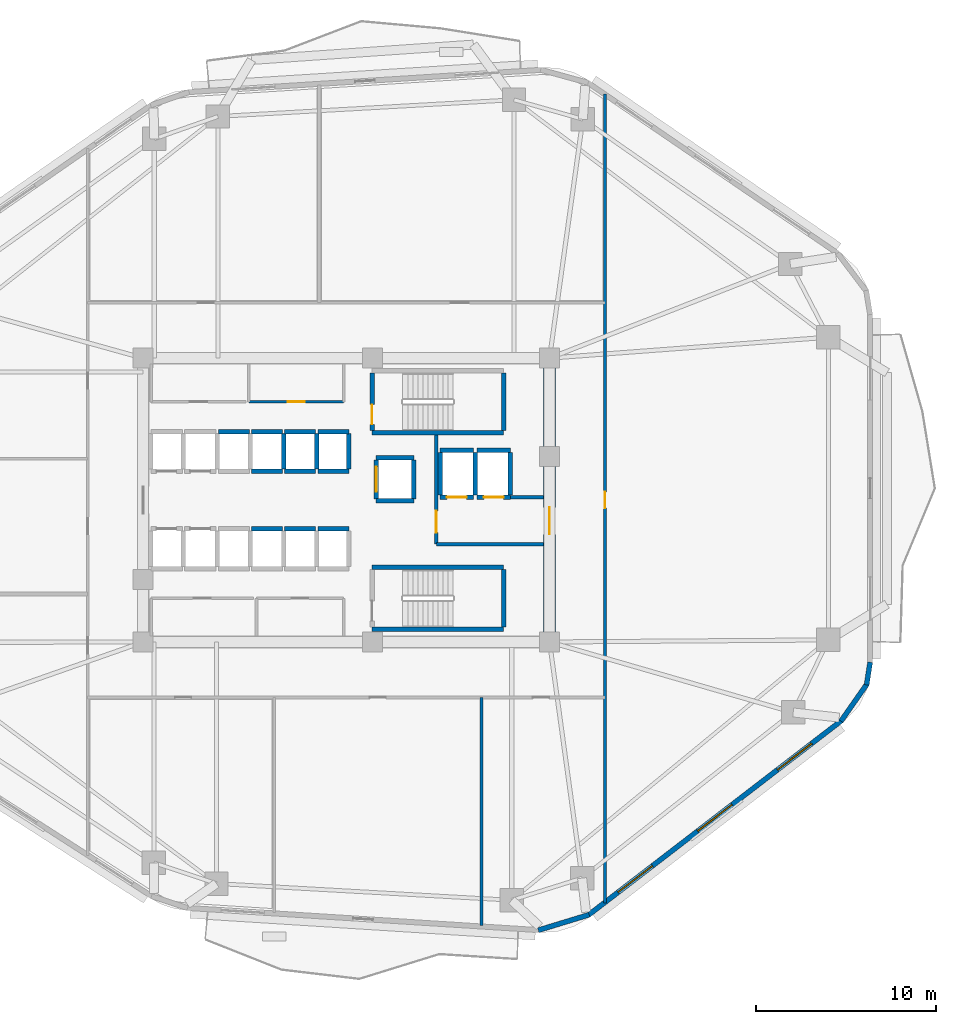
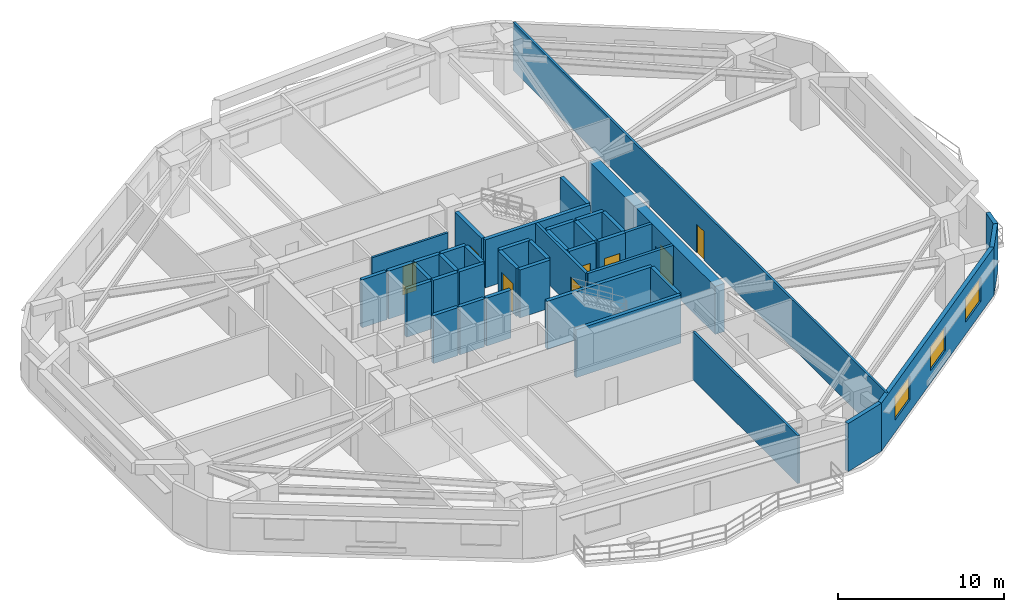
# One storey, part 4 of 8: 41 walls, 8 doors, 3 windows, 11 openings.
"""IFC4 building model written with IfcOpenShell, lengths in metres."""

import ifcopenshell
import ifcopenshell.guid

model = None  # the IFC model being written
_history = None  # IfcOwnerHistory: only IFC2X3 demands one
_inside = {}  # id of a spatial element -> (the spatial element, [elements in it])
_under = {}  # id of a project, library or spatial element -> (it, [spatial elements below it])
_declared = {}  # id of a project -> (the project, [libraries it declares])
_typed = {}  # id of a type object -> (the type object, [elements of that type])
_made_of = {}  # id of a material, layer set ... -> (it, [elements and type objects made of it])


def new_model(schema):
    """Start an empty IFC model of exactly this schema.

    Asked for "IFC4X3", IfcOpenShell would pick the latest addendum, in which some entities
    have other attributes; the version numbers below select the first issue.
    IFC2X3 requires an IfcOwnerHistory on every rooted entity: one is made here for all.
    """
    global model, _history
    if schema == "IFC4X3":
        model = ifcopenshell.file(schema_version=(4, 3, 0, 0))
    else:
        model = ifcopenshell.file(schema=schema)
    _inside.clear()
    _under.clear()
    _declared.clear()
    _typed.clear()
    _made_of.clear()
    _history = None
    if model.schema == "IFC2X3":
        org = make("IfcOrganization", Name="unknown")
        user = make(
            "IfcPersonAndOrganization",
            ThePerson=make("IfcPerson", FamilyName="unknown"),
            TheOrganization=org,
        )
        app = make(
            "IfcApplication",
            ApplicationDeveloper=org,
            Version="unknown",
            ApplicationFullName="unknown",
            ApplicationIdentifier="unknown",
        )
        _history = make(
            "IfcOwnerHistory",
            OwningUser=user,
            OwningApplication=app,
            ChangeAction="ADDED",
            CreationDate=0,
        )
    return model


def make(cls, **values):
    """One entity of the class cls with the attributes given. An attribute that is None is left unset."""
    return model.create_entity(
        cls, **{name: value for name, value in values.items() if value is not None}
    )


def rooted(cls, **values):
    """An entity with a GlobalId (a new one), such as an element, a storey or a relation."""
    return make(cls, GlobalId=ifcopenshell.guid.new(), OwnerHistory=_history, **values)


def si_unit(unit_type, name, prefix=None):
    """IfcSIUnit, for example si_unit("LENGTHUNIT", "METRE", prefix="MILLI")."""
    return make("IfcSIUnit", UnitType=unit_type, Prefix=prefix, Name=name)


def assignment(units):
    """IfcUnitAssignment: the units of a project."""
    return None if units is None else make("IfcUnitAssignment", Units=units)


def point(xyz):
    """IfcCartesianPoint."""
    return None if xyz is None else make("IfcCartesianPoint", Coordinates=xyz)


def direction(xyz):
    """IfcDirection."""
    return None if xyz is None else make("IfcDirection", DirectionRatios=xyz)


def frame(location, z_axis=None, x_axis=None):
    """IfcAxis2Placement3D, a coordinate frame: its origin and axes. An axis left out is left unset."""
    return make(
        "IfcAxis2Placement3D",
        Location=point(location),
        Axis=direction(z_axis),
        RefDirection=direction(x_axis),
    )


def frame_2d(location, x_axis=None):
    """IfcAxis2Placement2D, a coordinate frame in the plane: its origin and x axis."""
    return make(
        "IfcAxis2Placement2D", Location=point(location), RefDirection=direction(x_axis)
    )


def origin():
    """The frame at (0, 0, 0) with its axes left unset."""
    return frame((0.0, 0.0, 0.0))


def place(relative_to, where):
    """IfcLocalPlacement: puts the frame where relative to a parent placement (None: the world)."""
    return make(
        "IfcLocalPlacement", PlacementRelTo=relative_to, RelativePlacement=where
    )


def context(
    kind, dimensions, precision=None, world=None, true_north=None, identifier=None
):
    """IfcGeometricRepresentationContext, for example the 3D "Model" context."""
    return make(
        "IfcGeometricRepresentationContext",
        ContextIdentifier=identifier,
        ContextType=kind,
        CoordinateSpaceDimension=dimensions,
        Precision=precision,
        WorldCoordinateSystem=world,
        TrueNorth=true_north,
    )


def subcontext(parent, identifier, kind, view, scale=None):
    """IfcGeometricRepresentationSubContext, for example "Body" below "Model"."""
    return make(
        "IfcGeometricRepresentationSubContext",
        ContextIdentifier=identifier,
        ContextType=kind,
        ParentContext=parent,
        TargetScale=scale,
        TargetView=view,
    )


def project(units=None, contexts=None):
    """IfcProject with its units and contexts."""
    return rooted(
        "IfcProject",
        Name="project",
        RepresentationContexts=contexts,
        UnitsInContext=assignment(units),
    )


def spatial(cls, under=None, at=None, **own):
    """A site, building, storey or space (cls), placed at a placement, below another one or the project."""
    s = rooted(cls, ObjectPlacement=at, **own)
    if under is not None:
        _under.setdefault(under.id(), (under, []))[1].append(s)
    return s


def profile(cls, at=None, kind="AREA", **sizes):
    """A parametric profile (cls). Its sizes go by their IFC names, for example OverallWidth=200.0."""
    return make(cls, ProfileType=kind, Position=at, **sizes)


def rectangle(**sizes):
    """IfcRectangleProfileDef."""
    return profile("IfcRectangleProfileDef", **sizes)


def extrude(swept, where, along, depth):
    """IfcExtrudedAreaSolid: the profile swept, set in the frame where, extruded along a direction by depth."""
    return make(
        "IfcExtrudedAreaSolid",
        SweptArea=swept,
        Position=where,
        ExtrudedDirection=direction(along),
        Depth=depth,
    )


def shape(context_of_items, identifier, shape_type, items):
    """IfcShapeRepresentation: the items that make up one representation, for example the "Body"."""
    return make(
        "IfcShapeRepresentation",
        ContextOfItems=context_of_items,
        RepresentationIdentifier=identifier,
        RepresentationType=shape_type,
        Items=items,
    )


def material(Name=None, Category=None):
    """IfcMaterial."""
    return make("IfcMaterial", Name=Name, Category=Category)


def layer(
    of_material, thickness, ventilated=None, Name=None, Category=None, Priority=None
):
    """IfcMaterialLayer: one layer of a wall or slab, of a material (None: an air gap)."""
    return make(
        "IfcMaterialLayer",
        Material=of_material,
        LayerThickness=thickness,
        IsVentilated=ventilated,
        Name=Name,
        Category=Category,
        Priority=Priority,
    )


def layer_set(layers, Name=None):
    """IfcMaterialLayerSet."""
    return make("IfcMaterialLayerSet", MaterialLayers=layers, LayerSetName=Name)


def made_of(thing, what):
    """Note that an element or type object is made of a material, layer set ...; save() writes the relation."""
    if what is not None:
        _made_of.setdefault(what.id(), (what, []))[1].append(thing)
    return thing


def type_object(cls, material=None, **own):
    """A type object (cls), such as IfcWallType, which elements share."""
    return made_of(rooted(cls, **own), material)


def element(
    cls,
    number,
    at=None,
    inside=None,
    cuts=None,
    type_object=None,
    material=None,
    context=None,
    identifier="Body",
    shape_type=None,
    held_by="IfcProductDefinitionShape",
    body=None,
    shapes=None,
    **own,
):
    """One element of the class cls, such as IfcWall. Its Tag is "e" and its number.

    at: its placement. inside: the storey or other place that contains it. cuts: it is an
    opening in that element (IfcRelVoidsElement). A single representation is given by context,
    identifier, shape_type and body (its items); several are given by shapes. held_by: the class
    of the entity that holds the representations. save() writes the other relations.
    """
    e = rooted(cls, Tag="e%d" % number, ObjectPlacement=at, **own)
    if body is not None:
        shapes = [shape(context, identifier, shape_type, body)]
    if shapes is not None:
        e.Representation = make(held_by, Representations=shapes)
    if inside is not None:
        _inside.setdefault(inside.id(), (inside, []))[1].append(e)
    if cuts is not None:
        rooted(
            "IfcRelVoidsElement", RelatingBuildingElement=cuts, RelatedOpeningElement=e
        )
    if type_object is not None:
        _typed.setdefault(type_object.id(), (type_object, []))[1].append(e)
    return made_of(e, material)


def fill(opening, filler):
    """IfcRelFillsElement: the door or window that sits in an opening."""
    return rooted(
        "IfcRelFillsElement",
        RelatingOpeningElement=opening,
        RelatedBuildingElement=filler,
    )


def aggregate(whole, parts):
    """IfcRelAggregates: a whole, such as a stair, and the parts it consists of."""
    return rooted("IfcRelAggregates", RelatingObject=whole, RelatedObjects=parts)


def save(model, path):
    """Write the relations noted so far, then the file.

    IfcRelAggregates (storeys below a building ...), IfcRelContainedInSpatialStructure (elements
    in a storey), IfcRelDefinesByType, IfcRelAssociatesMaterial and IfcRelDeclares: one each for
    every whole, place, type object, material and project.
    """
    for whole, parts in _under.values():
        aggregate(whole, parts)
    for where, things in _inside.values():
        rooted(
            "IfcRelContainedInSpatialStructure",
            RelatedElements=things,
            RelatingStructure=where,
        )
    for kind, things in _typed.values():
        rooted("IfcRelDefinesByType", RelatedObjects=things, RelatingType=kind)
    for what, things in _made_of.values():
        rooted("IfcRelAssociatesMaterial", RelatedObjects=things, RelatingMaterial=what)
    for by, libraries in _declared.values():
        rooted("IfcRelDeclares", RelatingContext=by, RelatedDefinitions=libraries)
    model.write(path)


model = new_model("IFC4")

# Units and contexts
model_context = context("Model", 3, precision=1e-05, world=origin(), true_north=direction((0.0, 1.0)))
body_context = subcontext(model_context, "Body", "Model", "MODEL_VIEW")
ifc_project = project(units=[si_unit("LENGTHUNIT", "METRE"), si_unit("AREAUNIT", "SQUARE_METRE"), si_unit("VOLUMEUNIT", "CUBIC_METRE"), si_unit("PLANEANGLEUNIT", "RADIAN"), si_unit("MASSUNIT", "GRAM", prefix="KILO")], contexts=[model_context])

# Site, building, storey
site_placement = place(None, origin())
site = spatial("IfcSite", under=ifc_project, at=site_placement, CompositionType="ELEMENT")
building_placement = place(site_placement, origin())
building = spatial("IfcBuilding", under=site, at=building_placement, Name="Zulverin Broadcast Headquarters", CompositionType="ELEMENT")
storey_placement = place(building_placement, frame((0.0, 0.0, 44.0)))
storey = spatial("IfcBuildingStorey", under=building, at=storey_placement, Name="L10", CompositionType="ELEMENT", Elevation=44.0)

# Wall, opening, door
ifc_material_1 = material(Name="Concrete C60/75", Category="concrete")
ifc_layer_1 = layer(ifc_material_1, 0.64990234375, Name="Concrete C60/75", Category="concrete")
ifc_layer_set_1 = layer_set([ifc_layer_1], Name="Concrete C60/75")
wall_type_1 = type_object("IfcWallType", Name="WL-CORE-650", PredefinedType="SHEAR", material=ifc_layer_set_1)
wall_1_placement = place(storey_placement, frame((48.27490234375, 17.64990234375, 0.0), z_axis=(0.0, 0.0, 1.0), x_axis=(0.0, 1.0, 0.0)))
wall_1 = element("IfcWall", 1, at=wall_1_placement, inside=storey, type_object=wall_type_1, Name="L10 Core East Shear Wall", PredefinedType="SHEAR", context=body_context, shape_type="SweptSolid", body=[
    extrude(rectangle(XDim=15.10009765625, YDim=0.64990234375, at=frame_2d((7.550048828125, 0.0))), origin(), (0.0, 0.0, 1.0), 3.52490234375),
])
opening_1_placement = place(wall_1_placement, frame((5.64990234375, 0.0, 0.0)))
opening_1 = element("IfcOpeningElement", 2, at=opening_1_placement, cuts=wall_1, Name="Opening D-L10-CE1", PredefinedType="OPENING", context=body_context, shape_type="SweptSolid", body=[
    extrude(rectangle(XDim=1.5, YDim=2.14990234375, at=frame_2d((0.75, 1.074951171875))), frame((0.0, 0.3349609375, 0.0), z_axis=(0.0, -1.0, 0.0), x_axis=(1.0, 0.0, 0.0)), (0.0, 0.0, 1.0), 0.669921875),
])
ifc_material_2 = material(Name="Fire-rated glazed steel frame", Category="steel")
door_type_1 = type_object("IfcDoorType", Name="DR-COR-1500", OperationType="DOUBLE_DOOR_SINGLE_SWING", PredefinedType="DOOR", material=ifc_material_2)
door_1_placement = place(opening_1_placement, origin())
door_1 = element("IfcDoor", 3, at=door_1_placement, inside=storey, type_object=door_type_1, Name="L10 Firefighting Lobby East Corridor Door", OperationType="DOUBLE_DOOR_SINGLE_SWING", OverallHeight=2.14990234375, OverallWidth=1.5, PredefinedType="DOOR", context=body_context, shape_type="SweptSolid", body=[
    extrude(rectangle(XDim=1.5, YDim=2.14990234375, at=frame_2d((0.75, 1.074951171875))), frame((0.0, 0.02490234375, 0.0), z_axis=(0.0, -1.0, 0.0), x_axis=(1.0, 0.0, 0.0)), (0.0, 0.0, 1.0), 0.050048828125),
])
fill(opening_1, door_1)

# Wall, openings, windows
ifc_material_3 = material(Name="Insulated pale-metal clad concrete spandrel C40/50", Category="concrete")
ifc_layer_2 = layer(ifc_material_3, 0.280029296875, Name="Insulated pale-metal clad concrete spandrel C40/50", Category="concrete")
ifc_layer_set_2 = layer_set([ifc_layer_2], Name="Insulated pale-metal clad concrete spandrel C40/50")
wall_type_2 = type_object("IfcWallType", Name="WL-EXT-280", PredefinedType="STANDARD", material=ifc_layer_set_2)
wall_2_placement = place(storey_placement, frame((50.4287109375, 2.171630859375, 0.0), z_axis=(0.0, 0.0, 1.0), x_axis=(0.792937466367, 0.609303023488, 0.0)))
wall_2 = element("IfcWall", 4, at=wall_2_placement, inside=storey, type_object=wall_type_2, Name="L10 Pale-Metal Clad Spandrel Wall 2", PredefinedType="STANDARD", context=body_context, shape_type="SweptSolid", body=[
    extrude(rectangle(XDim=17.712890625, YDim=0.280029296875, at=frame_2d((8.8564453125, 0.0))), origin(), (0.0, 0.0, 1.0), 3.52490234375),
])
opening_2_placement = place(wall_2_placement, frame((2.08544921875, 0.0, 0.89990234375)))
opening_2 = element("IfcOpeningElement", 5, at=opening_2_placement, cuts=wall_2, Name="Opening W-L10-E21", PredefinedType="OPENING", context=body_context, shape_type="SweptSolid", body=[
    extrude(rectangle(XDim=2.39990234375, YDim=1.75, at=frame_2d((1.199951171875, 0.875))), frame((0.0, 0.14990234375, 0.0), z_axis=(0.0, -1.0, 0.0), x_axis=(1.0, 0.0, 0.0)), (0.0, 0.0, 1.0), 0.300048828125),
])
opening_3_placement = place(wall_2_placement, frame((7.656494140625, 0.0, 0.89990234375)))
opening_3 = element("IfcOpeningElement", 6, at=opening_3_placement, cuts=wall_2, Name="Opening W-L10-E22", PredefinedType="OPENING", context=body_context, shape_type="SweptSolid", body=[
    extrude(rectangle(XDim=2.39990234375, YDim=1.75, at=frame_2d((1.199951171875, 0.875))), frame((0.0, 0.14990234375, 0.0), z_axis=(0.0, -1.0, 0.0), x_axis=(1.0, 0.0, 0.0)), (0.0, 0.0, 1.0), 0.300048828125),
])
opening_4_placement = place(wall_2_placement, frame((13.227294921875, 0.0, 0.89990234375)))
opening_4 = element("IfcOpeningElement", 7, at=opening_4_placement, cuts=wall_2, Name="Opening W-L10-E23", PredefinedType="OPENING", context=body_context, shape_type="SweptSolid", body=[
    extrude(rectangle(XDim=2.39990234375, YDim=1.75, at=frame_2d((1.199951171875, 0.875))), frame((0.0, 0.14990234375, 0.0), z_axis=(0.0, -1.0, 0.0), x_axis=(1.0, 0.0, 0.0)), (0.0, 0.0, 1.0), 0.300048828125),
])
ifc_material_4 = material(Name="Pale anodized aluminium frame with solar-control low-E double glazing", Category="aluminium")
window_type = type_object("IfcWindowType", Name="WIN-RIB-2400", PartitioningType="SINGLE_PANEL", PredefinedType="WINDOW", material=ifc_material_4)
window_1_placement = place(opening_2_placement, origin())
window_1 = element("IfcWindow", 8, at=window_1_placement, inside=storey, type_object=window_type, Name="L10 Ribbon Glazing Window 2 1", OverallHeight=1.75, OverallWidth=2.39990234375, PartitioningType="SINGLE_PANEL", PredefinedType="WINDOW", context=body_context, shape_type="SweptSolid", body=[
    extrude(rectangle(XDim=2.39990234375, YDim=1.75, at=frame_2d((1.199951171875, 0.875))), frame((0.0, 0.030029296875, 0.0), z_axis=(0.0, -1.0, 0.0), x_axis=(1.0, 0.0, 0.0)), (0.0, 0.0, 1.0), 0.06005859375),
])
fill(opening_2, window_1)
window_2_placement = place(opening_3_placement, origin())
window_2 = element("IfcWindow", 9, at=window_2_placement, inside=storey, type_object=window_type, Name="L10 Ribbon Glazing Window 2 2", OverallHeight=1.75, OverallWidth=2.39990234375, PartitioningType="SINGLE_PANEL", PredefinedType="WINDOW", context=body_context, shape_type="SweptSolid", body=[
    extrude(rectangle(XDim=2.39990234375, YDim=1.75, at=frame_2d((1.199951171875, 0.875))), frame((0.0, 0.030029296875, 0.0), z_axis=(0.0, -1.0, 0.0), x_axis=(1.0, 0.0, 0.0)), (0.0, 0.0, 1.0), 0.06005859375),
])
fill(opening_3, window_2)
window_3_placement = place(opening_4_placement, origin())
window_3 = element("IfcWindow", 10, at=window_3_placement, inside=storey, type_object=window_type, Name="L10 Ribbon Glazing Window 2 3", OverallHeight=1.75, OverallWidth=2.39990234375, PartitioningType="SINGLE_PANEL", PredefinedType="WINDOW", context=body_context, shape_type="SweptSolid", body=[
    extrude(rectangle(XDim=2.39990234375, YDim=1.75, at=frame_2d((1.199951171875, 0.875))), frame((0.0, 0.030029296875, 0.0), z_axis=(0.0, -1.0, 0.0), x_axis=(1.0, 0.0, 0.0)), (0.0, 0.0, 1.0), 0.06005859375),
])
fill(opening_4, window_3)

# Walls
wall_3_placement = place(storey_placement, frame((47.649658203125, 1.3330078125, 0.0), z_axis=(0.0, 0.0, 1.0), x_axis=(0.956461287977, 0.291859220516, 0.0)))
element("IfcWall", 11, at=wall_3_placement, inside=storey, type_object=wall_type_2, Name="L10 Wind-Shaped Corner Spandrel Wall 1-1", PredefinedType="STANDARD", context=body_context, shape_type="SweptSolid", body=[
    extrude(rectangle(XDim=2.951904296875, YDim=0.280029296875, at=frame_2d((1.47607421875, 0.0))), origin(), (0.0, 0.0, 1.0), 3.52490234375),
])
wall_4_placement = place(storey_placement, frame((64.4443359375, 12.933349609375, 0.0), z_axis=(0.0, 0.0, 1.0), x_axis=(0.573176686443, 0.819431806875, 0.0)))
element("IfcWall", 12, at=wall_4_placement, inside=storey, type_object=wall_type_2, Name="L10 Wind-Shaped Corner Spandrel Wall 2-1", PredefinedType="STANDARD", context=body_context, shape_type="SweptSolid", body=[
    extrude(rectangle(XDim=2.524169921875, YDim=0.280029296875, at=frame_2d((1.26220703125, 0.0))), origin(), (0.0, 0.0, 1.0), 3.52490234375),
])
wall_5_placement = place(storey_placement, frame((65.867431640625, 14.942626953125, 0.0), z_axis=(0.0, 0.0, 1.0), x_axis=(0.152014078361, 0.988378328364, 0.0)))
element("IfcWall", 13, at=wall_5_placement, inside=storey, type_object=wall_type_2, Name="L10 Wind-Shaped Corner Spandrel Wall 2-2", PredefinedType="STANDARD", context=body_context, shape_type="SweptSolid", body=[
    extrude(rectangle(XDim=1.27685546875, YDim=0.280029296875, at=frame_2d((0.638427734375, 0.0))), origin(), (0.0, 0.0, 1.0), 3.52490234375),
])

# Wall, opening, door
ifc_material_5 = material(Name="Concrete C40/50", Category="concrete")
ifc_layer_3 = layer(ifc_material_5, 0.199951171875, Name="Concrete C40/50", Category="concrete")
ifc_layer_set_3 = layer_set([ifc_layer_3], Name="Concrete C40/50")
wall_type_3 = type_object("IfcWallType", Name="WL-FFL-200", PredefinedType="SOLIDWALL", material=ifc_layer_set_3)
wall_6_placement = place(storey_placement, frame((42.0, 22.75, 0.0), z_axis=(0.0, 0.0, 1.0), x_axis=(0.0, 1.0, 0.0)))
wall_6 = element("IfcWall", 14, at=wall_6_placement, inside=storey, type_object=wall_type_3, Name="L10 Firefighting Lift Lobby West Wall", PredefinedType="SOLIDWALL", context=body_context, shape_type="SweptSolid", body=[
    extrude(rectangle(XDim=6.050048828125, YDim=0.199951171875, at=frame_2d((3.02490234375, 0.0))), origin(), (0.0, 0.0, 1.0), 3.52490234375),
])
opening_5_placement = place(wall_6_placement, frame((0.64990234375, 0.0, 0.0)))
opening_5 = element("IfcOpeningElement", 15, at=opening_5_placement, cuts=wall_6, Name="Opening D-L10-FFLW", PredefinedType="OPENING", context=body_context, shape_type="SweptSolid", body=[
    extrude(rectangle(XDim=1.199951171875, YDim=2.14990234375, at=frame_2d((0.60009765625, 1.074951171875))), frame((0.0, 0.10986328125, 0.0), z_axis=(0.0, -1.0, 0.0), x_axis=(1.0, 0.0, 0.0)), (0.0, 0.0, 1.0), 0.219970703125),
])
ifc_material_6 = material(Name="Fire-rated steel leaf and frame", Category="steel")
door_type_2 = type_object("IfcDoorType", Name="DR-FFL-1200", OperationType="SINGLE_SWING_RIGHT", PredefinedType="DOOR", material=ifc_material_6)
door_2_placement = place(opening_5_placement, origin())
door_2 = element("IfcDoor", 16, at=door_2_placement, inside=storey, type_object=door_type_2, Name="L10 Firefighting Lift Lobby Door", OperationType="SINGLE_SWING_RIGHT", OverallHeight=2.14990234375, OverallWidth=1.199951171875, PredefinedType="DOOR", context=body_context, shape_type="SweptSolid", body=[
    extrude(rectangle(XDim=1.199951171875, YDim=2.14990234375, at=frame_2d((0.60009765625, 1.074951171875))), frame((0.0, 0.02490234375, 0.0), z_axis=(0.0, -1.0, 0.0), x_axis=(1.0, 0.0, 0.0)), (0.0, 0.0, 1.0), 0.050048828125),
])
fill(opening_5, door_2)

# Walls
wall_7_placement = place(storey_placement, frame((42.0, 22.75, 0.0), z_axis=(0.0, 0.0, 1.0), x_axis=(1.0, 0.0, 0.0)))
element("IfcWall", 17, at=wall_7_placement, inside=storey, type_object=wall_type_3, Name="L10 Firefighting Lift Lobby South Wall", PredefinedType="SOLIDWALL", context=body_context, shape_type="SweptSolid", body=[
    extrude(rectangle(XDim=5.949951171875, YDim=0.199951171875, at=frame_2d((2.97509765625, 0.0))), origin(), (0.0, 0.0, 1.0), 3.52490234375),
])
wall_8_placement = place(storey_placement, frame((46.10009765625, 25.35009765625, 0.0), z_axis=(0.0, 0.0, 1.0), x_axis=(1.0, 0.0, 0.0)))
element("IfcWall", 18, at=wall_8_placement, inside=storey, type_object=wall_type_3, Name="L10 Firefighting Lift Lobby North Wall", PredefinedType="SOLIDWALL", context=body_context, shape_type="SweptSolid", body=[
    extrude(rectangle(XDim=1.849853515625, YDim=0.199951171875, at=frame_2d((0.9248046875, 0.0))), origin(), (0.0, 0.0, 1.0), 3.52490234375),
])

# Wall, opening, door
ifc_material_7 = material(Name="Fire-rated gypsum stud partition", Category="gypsum")
ifc_layer_4 = layer(ifc_material_7, 0.14990234375, Name="Fire-rated gypsum stud partition", Category="gypsum")
ifc_layer_set_4 = layer_set([ifc_layer_4], Name="Fire-rated gypsum stud partition")
wall_type_4 = type_object("IfcWallType", Name="WL-PART-150", PredefinedType="PARTITIONING", material=ifc_layer_set_4)
wall_9_placement = place(storey_placement, frame((31.590087890625, 30.64990234375, 0.0), z_axis=(0.0, 0.0, 1.0), x_axis=(1.0, 0.0, 0.0)))
wall_9 = element("IfcWall", 19, at=wall_9_placement, inside=storey, type_object=wall_type_4, Name="L10 Core Accessible WC Front Wall", PredefinedType="PARTITIONING", context=body_context, shape_type="SweptSolid", body=[
    extrude(rectangle(XDim=5.260009765625, YDim=0.14990234375, at=frame_2d((2.6298828125, 0.0))), origin(), (0.0, 0.0, 1.0), 3.52490234375),
])
opening_6_placement = place(wall_9_placement, frame((2.155029296875, 0.0, 0.0)))
opening_6 = element("IfcOpeningElement", 20, at=opening_6_placement, cuts=wall_9, Name="Opening D-L10-NC2", PredefinedType="OPENING", context=body_context, shape_type="SweptSolid", body=[
    extrude(rectangle(XDim=0.949951171875, YDim=2.10009765625, at=frame_2d((0.47509765625, 1.050048828125))), frame((0.0, 0.0849609375, 0.0), z_axis=(0.0, -1.0, 0.0), x_axis=(1.0, 0.0, 0.0)), (0.0, 0.0, 1.0), 0.169921875),
])
ifc_material_8 = material(Name="Fire-rated moisture-resistant laminate leaf", Category="wood")
door_type_3 = type_object("IfcDoorType", Name="DR-WC-950", OperationType="SINGLE_SWING_LEFT", PredefinedType="DOOR", material=ifc_material_8)
door_3_placement = place(opening_6_placement, origin())
door_3 = element("IfcDoor", 21, at=door_3_placement, inside=storey, type_object=door_type_3, Name="L10 Accessible WC Door", OperationType="SINGLE_SWING_RIGHT", OverallHeight=2.10009765625, OverallWidth=0.949951171875, PredefinedType="DOOR", context=body_context, shape_type="SweptSolid", body=[
    extrude(rectangle(XDim=0.949951171875, YDim=2.10009765625, at=frame_2d((0.47509765625, 1.050048828125))), frame((0.0, 0.02490234375, 0.0), z_axis=(0.0, -1.0, 0.0), x_axis=(1.0, 0.0, 0.0)), (0.0, 0.0, 1.0), 0.050048828125),
])
fill(opening_6, door_3)

wall_10_placement = place(storey_placement, frame((51.35009765625, 2.843017578125, 0.0), z_axis=(0.0, 0.0, 1.0), x_axis=(0.0, 1.0, 0.0)))
wall_10 = element("IfcWall", 22, at=wall_10_placement, inside=storey, type_object=wall_type_4, Name="L10 Gallery Partition Wall CG-01", PredefinedType="PARTITIONING", context=body_context, shape_type="SweptSolid", body=[
    extrude(rectangle(XDim=44.89208984375, YDim=0.14990234375, at=frame_2d((22.446044921875, 0.0))), origin(), (0.0, 0.0, 1.0), 3.52490234375),
])
opening_7_placement = place(wall_10_placement, frame((21.906982421875, 0.0, 0.0)))
opening_7 = element("IfcOpeningElement", 23, at=opening_7_placement, cuts=wall_10, Name="Opening D-L10-09", PredefinedType="OPENING", context=body_context, shape_type="SweptSolid", body=[
    extrude(rectangle(XDim=0.89990234375, YDim=2.10009765625, at=frame_2d((0.449951171875, 1.050048828125))), frame((0.0, 0.0849609375, 0.0), z_axis=(0.0, -1.0, 0.0), x_axis=(1.0, 0.0, 0.0)), (0.0, 0.0, 1.0), 0.169921875),
])
ifc_material_9 = material(Name="Fire-rated hardwood veneer timber leaf", Category="wood")
door_type_4 = type_object("IfcDoorType", Name="DR-ROOM-900", OperationType="SINGLE_SWING_RIGHT", PredefinedType="DOOR", material=ifc_material_9)
door_4_placement = place(opening_7_placement, origin())
door_4 = element("IfcDoor", 24, at=door_4_placement, inside=storey, type_object=door_type_4, Name="L10 Open Plan Newsroom Door", OperationType="SINGLE_SWING_LEFT", OverallHeight=2.10009765625, OverallWidth=0.89990234375, PredefinedType="DOOR", context=body_context, shape_type="SweptSolid", body=[
    extrude(rectangle(XDim=0.89990234375, YDim=2.10009765625, at=frame_2d((0.449951171875, 1.050048828125))), frame((0.0, 0.02490234375, 0.0), z_axis=(0.0, -1.0, 0.0), x_axis=(1.0, 0.0, 0.0)), (0.0, 0.0, 1.0), 0.050048828125),
])
fill(opening_7, door_4)

# Walls
wall_11_placement = place(storey_placement, frame((44.5, 1.60546875, 0.0), z_axis=(0.0, 0.0, 1.0), x_axis=(0.0, 1.0, 0.0)))
element("IfcWall", 25, at=wall_11_placement, inside=storey, type_object=wall_type_4, Name="L10 Room Partition Wall RP-02", PredefinedType="PARTITIONING", context=body_context, shape_type="SweptSolid", body=[
    extrude(rectangle(XDim=12.64453125, YDim=0.14990234375, at=frame_2d((6.322265625, 0.0))), origin(), (0.0, 0.0, 1.0), 3.52490234375),
])
ifc_material_10 = material(Name="Concrete C50/60", Category="concrete")
ifc_layer_5 = layer(ifc_material_10, 0.25, Name="Concrete C50/60", Category="concrete")
ifc_layer_set_5 = layer_set([ifc_layer_5], Name="Concrete C50/60")
wall_type_5 = type_object("IfcWallType", Name="WL-SHAFT-250", PredefinedType="SHEAR", material=ifc_layer_set_5)
wall_12_placement = place(storey_placement, frame((38.425048828125, 28.925048828125, 0.0), z_axis=(0.0, 0.0, 1.0), x_axis=(1.0, 0.0, 0.0)))
element("IfcWall", 26, at=wall_12_placement, inside=storey, type_object=wall_type_5, Name="L10 ST-1 Enclosure Wall S", PredefinedType="SHEAR", context=body_context, shape_type="SweptSolid", body=[
    extrude(rectangle(XDim=7.300048828125, YDim=0.25, at=frame_2d((3.64990234375, 0.0))), origin(), (0.0, 0.0, 1.0), 3.52490234375),
])

# Wall, opening, door
wall_13_placement = place(storey_placement, frame((38.425048828125, 29.050048828125, 0.0), z_axis=(0.0, 0.0, 1.0), x_axis=(0.0, 1.0, 0.0)))
wall_13 = element("IfcWall", 27, at=wall_13_placement, inside=storey, type_object=wall_type_5, Name="L10 ST-1 Enclosure Wall W", PredefinedType="SHEAR", context=body_context, shape_type="SweptSolid", body=[
    extrude(rectangle(XDim=3.199951171875, YDim=0.25, at=frame_2d((1.60009765625, 0.0))), origin(), (0.0, 0.0, 1.0), 3.52490234375),
])
opening_8_placement = place(wall_13_placement, frame((0.35009765625, 0.0, 0.0)))
opening_8 = element("IfcOpeningElement", 28, at=opening_8_placement, cuts=wall_13, Name="Opening D-L10-ST-1", PredefinedType="OPENING", context=body_context, shape_type="SweptSolid", body=[
    extrude(rectangle(XDim=1.10009765625, YDim=2.14990234375, at=frame_2d((0.550048828125, 1.074951171875))), frame((0.0, 0.135009765625, 0.0), z_axis=(0.0, -1.0, 0.0), x_axis=(1.0, 0.0, 0.0)), (0.0, 0.0, 1.0), 0.27001953125),
])
door_type_5 = type_object("IfcDoorType", Name="DR-STAIR-1100", OperationType="SINGLE_SWING_LEFT", PredefinedType="DOOR", material=ifc_material_6)
door_5_placement = place(opening_8_placement, origin())
door_5 = element("IfcDoor", 29, at=door_5_placement, inside=storey, type_object=door_type_5, Name="L10 Exit Stair ST-1 Fire Door", OperationType="SINGLE_SWING_LEFT", OverallHeight=2.14990234375, OverallWidth=1.10009765625, PredefinedType="DOOR", context=body_context, shape_type="SweptSolid", body=[
    extrude(rectangle(XDim=1.10009765625, YDim=2.14990234375, at=frame_2d((0.550048828125, 1.074951171875))), frame((0.0, 0.02490234375, 0.0), z_axis=(0.0, -1.0, 0.0), x_axis=(1.0, 0.0, 0.0)), (0.0, 0.0, 1.0), 0.050048828125),
])
fill(opening_8, door_5)

# Walls
wall_14_placement = place(storey_placement, frame((45.72509765625, 29.050048828125, 0.0), z_axis=(0.0, 0.0, 1.0), x_axis=(0.0, 1.0, 0.0)))
element("IfcWall", 30, at=wall_14_placement, inside=storey, type_object=wall_type_5, Name="L10 ST-1 Enclosure Wall E", PredefinedType="SHEAR", context=body_context, shape_type="SweptSolid", body=[
    extrude(rectangle(XDim=3.199951171875, YDim=0.25, at=frame_2d((1.60009765625, 0.0))), origin(), (0.0, 0.0, 1.0), 3.52490234375),
])
for number, where, z_axis, x_axis, name in (
    (31, (38.425048828125, 18.02490234375, 0.0), (0.0, 0.0, 1.0), (1.0, 0.0, 0.0), "L10 ST-2 Enclosure Wall S"),
    (32, (38.425048828125, 21.47509765625, 0.0), (0.0, 0.0, 1.0), (1.0, 0.0, 0.0), "L10 ST-2 Enclosure Wall N"),
):
    element("IfcWall", number, at=place(storey_placement, frame(where, z_axis=z_axis, x_axis=x_axis)), inside=storey, type_object=wall_type_5, Name=name, PredefinedType="SHEAR", context=body_context, shape_type="SweptSolid", body=[
        extrude(rectangle(XDim=7.300048828125, YDim=0.25, at=frame_2d((3.64990234375, 0.0))), origin(), (0.0, 0.0, 1.0), 3.52490234375),
    ])
wall_15_placement = place(storey_placement, frame((45.72509765625, 18.14990234375, 0.0), z_axis=(0.0, 0.0, 1.0), x_axis=(0.0, 1.0, 0.0)))
element("IfcWall", 33, at=wall_15_placement, inside=storey, type_object=wall_type_5, Name="L10 ST-2 Enclosure Wall E", PredefinedType="SHEAR", context=body_context, shape_type="SweptSolid", body=[
    extrude(rectangle(XDim=3.2001953125, YDim=0.25, at=frame_2d((1.60009765625, 0.0))), origin(), (0.0, 0.0, 1.0), 3.52490234375),
])
for number, where, z_axis, x_axis, name in (
    (34, (31.739990234375, 23.60009765625, 0.0), (0.0, 0.0, 1.0), (1.0, 0.0, 0.0), "L10 Lift PL-M2 Shaft Wall N"),
    (35, (33.580078125, 23.60009765625, 0.0), (0.0, 0.0, 1.0), (1.0, 0.0, 0.0), "L10 Lift PL-M3 Shaft Wall N"),
    (36, (35.419921875, 23.60009765625, 0.0), (0.0, 0.0, 1.0), (1.0, 0.0, 0.0), "L10 Lift PL-M4 Shaft Wall N"),
):
    element("IfcWall", number, at=place(storey_placement, frame(where, z_axis=z_axis, x_axis=x_axis)), inside=storey, type_object=wall_type_5, Name=name, PredefinedType="SHEAR", context=body_context, shape_type="SweptSolid", body=[
        extrude(rectangle(XDim=1.719970703125, YDim=0.25, at=frame_2d((0.85986328125, 0.0))), origin(), (0.0, 0.0, 1.0), 3.52490234375),
    ])
wall_16_placement = place(storey_placement, frame((29.89990234375, 29.0, 0.0), z_axis=(0.0, 0.0, 1.0), x_axis=(1.0, 0.0, 0.0)))
element("IfcWall", 37, at=wall_16_placement, inside=storey, type_object=wall_type_5, Name="L10 Lift PL-H1 Shaft Wall N", PredefinedType="SHEAR", context=body_context, shape_type="SweptSolid", body=[
    extrude(rectangle(XDim=1.72021484375, YDim=0.25, at=frame_2d((0.860107421875, 0.0))), origin(), (0.0, 0.0, 1.0), 3.52490234375),
])
for number, where, z_axis, x_axis, name in (
    (38, (31.739990234375, 26.800048828125, 0.0), (0.0, 0.0, 1.0), (1.0, 0.0, 0.0), "L10 Lift PL-H2 Shaft Wall S"),
    (39, (31.739990234375, 29.0, 0.0), (0.0, 0.0, 1.0), (1.0, 0.0, 0.0), "L10 Lift PL-H2 Shaft Wall N"),
):
    element("IfcWall", number, at=place(storey_placement, frame(where, z_axis=z_axis, x_axis=x_axis)), inside=storey, type_object=wall_type_5, Name=name, PredefinedType="SHEAR", context=body_context, shape_type="SweptSolid", body=[
        extrude(rectangle(XDim=1.719970703125, YDim=0.25, at=frame_2d((0.85986328125, 0.0))), origin(), (0.0, 0.0, 1.0), 3.52490234375),
    ])
wall_17_placement = place(storey_placement, frame((33.52001953125, 26.919921875, 0.0), z_axis=(0.0, 0.0, 1.0), x_axis=(0.0, 1.0, 0.0)))
element("IfcWall", 40, at=wall_17_placement, inside=storey, type_object=wall_type_5, Name="L10 Lift PL-H2 Shaft Wall E", PredefinedType="SHEAR", context=body_context, shape_type="SweptSolid", body=[
    extrude(rectangle(XDim=1.9599609375, YDim=0.25, at=frame_2d((0.97998046875, 0.0))), origin(), (0.0, 0.0, 1.0), 3.52490234375),
])
for number, where, z_axis, x_axis, name in (
    (41, (33.580078125, 26.800048828125, 0.0), (0.0, 0.0, 1.0), (1.0, 0.0, 0.0), "L10 Lift PL-H3 Shaft Wall S"),
    (42, (33.580078125, 29.0, 0.0), (0.0, 0.0, 1.0), (1.0, 0.0, 0.0), "L10 Lift PL-H3 Shaft Wall N"),
):
    element("IfcWall", number, at=place(storey_placement, frame(where, z_axis=z_axis, x_axis=x_axis)), inside=storey, type_object=wall_type_5, Name=name, PredefinedType="SHEAR", context=body_context, shape_type="SweptSolid", body=[
        extrude(rectangle(XDim=1.719970703125, YDim=0.25, at=frame_2d((0.85986328125, 0.0))), origin(), (0.0, 0.0, 1.0), 3.52490234375),
    ])
wall_18_placement = place(storey_placement, frame((35.360107421875, 26.919921875, 0.0), z_axis=(0.0, 0.0, 1.0), x_axis=(0.0, 1.0, 0.0)))
element("IfcWall", 43, at=wall_18_placement, inside=storey, type_object=wall_type_5, Name="L10 Lift PL-H3 Shaft Wall E", PredefinedType="SHEAR", context=body_context, shape_type="SweptSolid", body=[
    extrude(rectangle(XDim=1.9599609375, YDim=0.25, at=frame_2d((0.97998046875, 0.0))), origin(), (0.0, 0.0, 1.0), 3.52490234375),
])
for number, where, z_axis, x_axis, name in (
    (44, (35.419921875, 26.800048828125, 0.0), (0.0, 0.0, 1.0), (1.0, 0.0, 0.0), "L10 Lift PL-H4 Shaft Wall S"),
    (45, (35.419921875, 29.0, 0.0), (0.0, 0.0, 1.0), (1.0, 0.0, 0.0), "L10 Lift PL-H4 Shaft Wall N"),
):
    element("IfcWall", number, at=place(storey_placement, frame(where, z_axis=z_axis, x_axis=x_axis)), inside=storey, type_object=wall_type_5, Name=name, PredefinedType="SHEAR", context=body_context, shape_type="SweptSolid", body=[
        extrude(rectangle(XDim=1.719970703125, YDim=0.25, at=frame_2d((0.85986328125, 0.0))), origin(), (0.0, 0.0, 1.0), 3.52490234375),
    ])
wall_19_placement = place(storey_placement, frame((37.139892578125, 26.919921875, 0.0), z_axis=(0.0, 0.0, 1.0), x_axis=(0.0, 1.0, 0.0)))
element("IfcWall", 46, at=wall_19_placement, inside=storey, type_object=wall_type_5, Name="L10 Lift PL-H4 Shaft Wall E", PredefinedType="SHEAR", context=body_context, shape_type="SweptSolid", body=[
    extrude(rectangle(XDim=1.9599609375, YDim=0.25, at=frame_2d((0.97998046875, 0.0))), origin(), (0.0, 0.0, 1.0), 3.52490234375),
])

# Wall, opening, door
wall_20_placement = place(storey_placement, frame((42.199951171875, 25.35009765625, 0.0), z_axis=(0.0, 0.0, 1.0), x_axis=(1.0, 0.0, 0.0)))
wall_20 = element("IfcWall", 47, at=wall_20_placement, inside=storey, type_object=wall_type_5, Name="L10 Lift FFL-1 Shaft Wall S", PredefinedType="SHEAR", context=body_context, shape_type="SweptSolid", body=[
    extrude(rectangle(XDim=1.85009765625, YDim=0.25, at=frame_2d((0.925048828125, 0.0))), origin(), (0.0, 0.0, 1.0), 3.52490234375),
])
opening_9_placement = place(wall_20_placement, frame((0.375, 0.0, 0.0)))
opening_9 = element("IfcOpeningElement", 48, at=opening_9_placement, cuts=wall_20, Name="Opening LD-FFL-1-L10", PredefinedType="OPENING", context=body_context, shape_type="SweptSolid", body=[
    extrude(rectangle(XDim=1.10009765625, YDim=2.14990234375, at=frame_2d((0.550048828125, 1.074951171875))), frame((0.0, 0.135009765625, 0.0), z_axis=(0.0, -1.0, 0.0), x_axis=(1.0, 0.0, 0.0)), (0.0, 0.0, 1.0), 0.27001953125),
])
ifc_material_11 = material(Name="Fire-rated stainless landing door", Category="steel")
door_type_6 = type_object("IfcDoorType", Name="LD-FFL-1100", OperationType="DOUBLE_DOOR_SLIDING", PredefinedType="DOOR", material=ifc_material_11)
door_6_placement = place(opening_9_placement, origin())
door_6 = element("IfcDoor", 49, at=door_6_placement, inside=storey, type_object=door_type_6, Name="L10 Lift FFL-1 Sliding Landing Door", OperationType="DOUBLE_DOOR_SLIDING", OverallHeight=2.14990234375, OverallWidth=1.10009765625, PredefinedType="DOOR", context=body_context, shape_type="SweptSolid", body=[
    extrude(rectangle(XDim=1.10009765625, YDim=2.14990234375, at=frame_2d((0.550048828125, 1.074951171875))), frame((0.0, 0.02490234375, 0.0), z_axis=(0.0, -1.0, 0.0), x_axis=(1.0, 0.0, 0.0)), (0.0, 0.0, 1.0), 0.050048828125),
])
fill(opening_9, door_6)

# Walls
wall_21_placement = place(storey_placement, frame((42.199951171875, 27.949951171875, 0.0), z_axis=(0.0, 0.0, 1.0), x_axis=(1.0, 0.0, 0.0)))
element("IfcWall", 50, at=wall_21_placement, inside=storey, type_object=wall_type_5, Name="L10 Lift FFL-1 Shaft Wall N", PredefinedType="SHEAR", context=body_context, shape_type="SweptSolid", body=[
    extrude(rectangle(XDim=1.85009765625, YDim=0.25, at=frame_2d((0.925048828125, 0.0))), origin(), (0.0, 0.0, 1.0), 3.52490234375),
])
for number, where, z_axis, x_axis, name in (
    (51, (42.199951171875, 25.469970703125, 0.0), (0.0, 0.0, 1.0), (0.0, 1.0, 0.0), "L10 Lift FFL-1 Shaft Wall W"),
    (52, (44.14990234375, 25.469970703125, 0.0), (0.0, 0.0, 1.0), (0.0, 1.0, 0.0), "L10 Lift FFL-1 Shaft Wall E"),
):
    element("IfcWall", number, at=place(storey_placement, frame(where, z_axis=z_axis, x_axis=x_axis)), inside=storey, type_object=wall_type_5, Name=name, PredefinedType="SHEAR", context=body_context, shape_type="SweptSolid", body=[
        extrude(rectangle(XDim=2.360107421875, YDim=0.25, at=frame_2d((1.18017578125, 0.0))), origin(), (0.0, 0.0, 1.0), 3.52490234375),
    ])

# Wall, opening, door
wall_22_placement = place(storey_placement, frame((44.25, 25.35009765625, 0.0), z_axis=(0.0, 0.0, 1.0), x_axis=(1.0, 0.0, 0.0)))
wall_22 = element("IfcWall", 53, at=wall_22_placement, inside=storey, type_object=wall_type_5, Name="L10 Lift FFL-2 Shaft Wall S", PredefinedType="SHEAR", context=body_context, shape_type="SweptSolid", body=[
    extrude(rectangle(XDim=1.85009765625, YDim=0.25, at=frame_2d((0.925048828125, 0.0))), origin(), (0.0, 0.0, 1.0), 3.52490234375),
])
opening_10_placement = place(wall_22_placement, frame((0.375, 0.0, 0.0)))
opening_10 = element("IfcOpeningElement", 54, at=opening_10_placement, cuts=wall_22, Name="Opening LD-FFL-2-L10", PredefinedType="OPENING", context=body_context, shape_type="SweptSolid", body=[
    extrude(rectangle(XDim=1.10009765625, YDim=2.14990234375, at=frame_2d((0.550048828125, 1.074951171875))), frame((0.0, 0.135009765625, 0.0), z_axis=(0.0, -1.0, 0.0), x_axis=(1.0, 0.0, 0.0)), (0.0, 0.0, 1.0), 0.27001953125),
])
door_7_placement = place(opening_10_placement, origin())
door_7 = element("IfcDoor", 55, at=door_7_placement, inside=storey, type_object=door_type_6, Name="L10 Lift FFL-2 Sliding Landing Door", OperationType="DOUBLE_DOOR_SLIDING", OverallHeight=2.14990234375, OverallWidth=1.10009765625, PredefinedType="DOOR", context=body_context, shape_type="SweptSolid", body=[
    extrude(rectangle(XDim=1.10009765625, YDim=2.14990234375, at=frame_2d((0.550048828125, 1.074951171875))), frame((0.0, 0.02490234375, 0.0), z_axis=(0.0, -1.0, 0.0), x_axis=(1.0, 0.0, 0.0)), (0.0, 0.0, 1.0), 0.050048828125),
])
fill(opening_10, door_7)

# Walls
wall_23_placement = place(storey_placement, frame((44.25, 27.949951171875, 0.0), z_axis=(0.0, 0.0, 1.0), x_axis=(1.0, 0.0, 0.0)))
element("IfcWall", 56, at=wall_23_placement, inside=storey, type_object=wall_type_5, Name="L10 Lift FFL-2 Shaft Wall N", PredefinedType="SHEAR", context=body_context, shape_type="SweptSolid", body=[
    extrude(rectangle(XDim=1.85009765625, YDim=0.25, at=frame_2d((0.925048828125, 0.0))), origin(), (0.0, 0.0, 1.0), 3.52490234375),
])
wall_24_placement = place(storey_placement, frame((46.10009765625, 25.469970703125, 0.0), z_axis=(0.0, 0.0, 1.0), x_axis=(0.0, 1.0, 0.0)))
element("IfcWall", 57, at=wall_24_placement, inside=storey, type_object=wall_type_5, Name="L10 Lift FFL-2 Shaft Wall E", PredefinedType="SHEAR", context=body_context, shape_type="SweptSolid", body=[
    extrude(rectangle(XDim=2.360107421875, YDim=0.25, at=frame_2d((1.18017578125, 0.0))), origin(), (0.0, 0.0, 1.0), 3.52490234375),
])
for number, where, z_axis, x_axis, name in (
    (58, (38.64990234375, 25.14990234375, 0.0), (0.0, 0.0, 1.0), (1.0, 0.0, 0.0), "L10 Lift SVL-1 Shaft Wall S"),
    (59, (38.64990234375, 27.550048828125, 0.0), (0.0, 0.0, 1.0), (1.0, 0.0, 0.0), "L10 Lift SVL-1 Shaft Wall N"),
):
    element("IfcWall", number, at=place(storey_placement, frame(where, z_axis=z_axis, x_axis=x_axis)), inside=storey, type_object=wall_type_5, Name=name, PredefinedType="SHEAR", context=body_context, shape_type="SweptSolid", body=[
        extrude(rectangle(XDim=2.10009765625, YDim=0.25, at=frame_2d((1.050048828125, 0.0))), origin(), (0.0, 0.0, 1.0), 3.52490234375),
    ])

# Wall, opening, door
wall_25_placement = place(storey_placement, frame((38.64990234375, 25.27001953125, 0.0), z_axis=(0.0, 0.0, 1.0), x_axis=(0.0, 1.0, 0.0)))
wall_25 = element("IfcWall", 60, at=wall_25_placement, inside=storey, type_object=wall_type_5, Name="L10 Lift SVL-1 Shaft Wall W", PredefinedType="SHEAR", context=body_context, shape_type="SweptSolid", body=[
    extrude(rectangle(XDim=2.159912109375, YDim=0.25, at=frame_2d((1.080078125, 0.0))), origin(), (0.0, 0.0, 1.0), 3.52490234375),
])
opening_11_placement = place(wall_25_placement, frame((0.3798828125, 0.0, 0.0)))
opening_11 = element("IfcOpeningElement", 61, at=opening_11_placement, cuts=wall_25, Name="Opening LD-SVL-1-L10", PredefinedType="OPENING", context=body_context, shape_type="SweptSolid", body=[
    extrude(rectangle(XDim=1.39990234375, YDim=2.199951171875, at=frame_2d((0.699951171875, 1.10009765625))), frame((0.0, 0.135009765625, 0.0), z_axis=(0.0, -1.0, 0.0), x_axis=(1.0, 0.0, 0.0)), (0.0, 0.0, 1.0), 0.27001953125),
])
ifc_material_12 = material(Name="Heavy-duty stainless landing door", Category="steel")
door_type_7 = type_object("IfcDoorType", Name="LD-GOODS-1400", OperationType="DOUBLE_DOOR_SLIDING", PredefinedType="DOOR", material=ifc_material_12)
door_8_placement = place(opening_11_placement, origin())
door_8 = element("IfcDoor", 62, at=door_8_placement, inside=storey, type_object=door_type_7, Name="L10 Lift SVL-1 Sliding Landing Door", OperationType="DOUBLE_DOOR_SLIDING", OverallHeight=2.199951171875, OverallWidth=1.39990234375, PredefinedType="DOOR", context=body_context, shape_type="SweptSolid", body=[
    extrude(rectangle(XDim=1.39990234375, YDim=2.199951171875, at=frame_2d((0.699951171875, 1.10009765625))), frame((0.0, 0.02490234375, 0.0), z_axis=(0.0, -1.0, 0.0), x_axis=(1.0, 0.0, 0.0)), (0.0, 0.0, 1.0), 0.050048828125),
])
fill(opening_11, door_8)

# Wall
wall_26_placement = place(storey_placement, frame((40.75, 25.27001953125, 0.0), z_axis=(0.0, 0.0, 1.0), x_axis=(0.0, 1.0, 0.0)))
element("IfcWall", 63, at=wall_26_placement, inside=storey, type_object=wall_type_5, Name="L10 Lift SVL-1 Shaft Wall E", PredefinedType="SHEAR", context=body_context, shape_type="SweptSolid", body=[
    extrude(rectangle(XDim=2.159912109375, YDim=0.25, at=frame_2d((1.080078125, 0.0))), origin(), (0.0, 0.0, 1.0), 3.52490234375),
])

save(model, "model.ifc")
